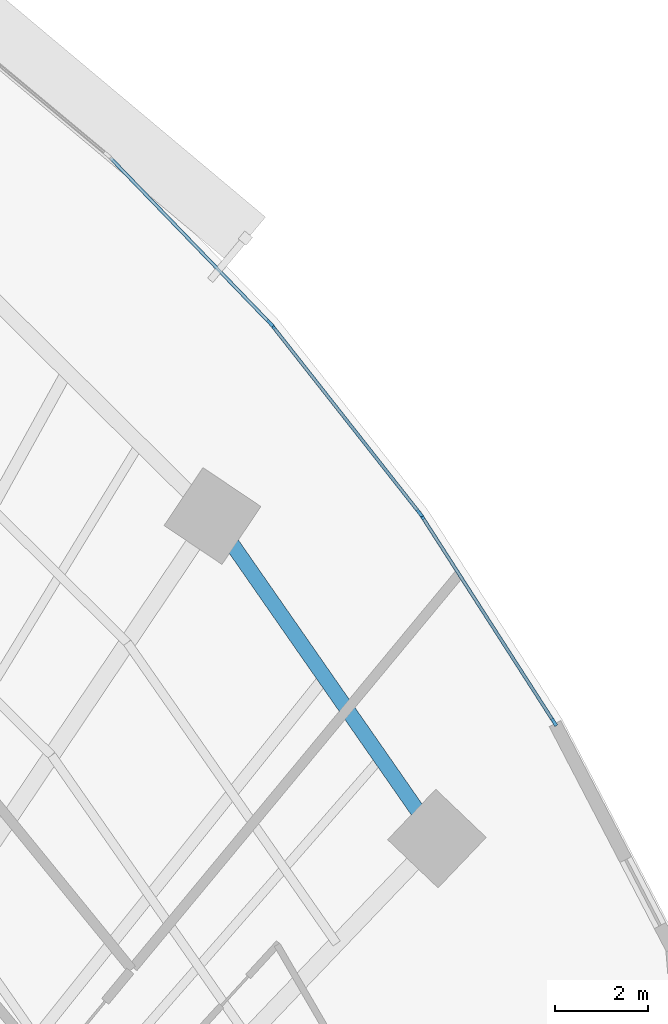
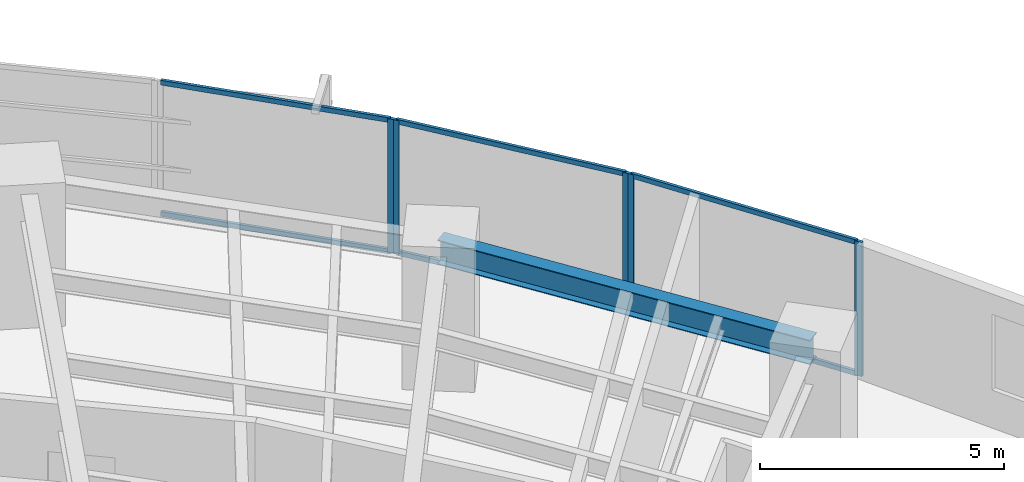
# One storey, part 8 of 17: 11 members, 1 beam, 3 elements without a shape of their own.
"""IFC4 building model written with IfcOpenShell, lengths in metres."""

from ifc_helpers import new_model, si_unit, direction, frame, origin, origin_2d, place, context, subcontext, project, spatial, rectangle, i_section, extrude, source, transform, mapped, material, layer, layer_set, material_profile, profile_set, type_object, type_shapes, element, aggregate, save


model = new_model("IFC4")

# Units and contexts
model_context = context("Model", 3, precision=1e-05, world=origin(), true_north=direction((0.0, 1.0)))
body_context = subcontext(model_context, "Body", "Model", "MODEL_VIEW")
ifc_project = project(units=[si_unit("LENGTHUNIT", "METRE"), si_unit("AREAUNIT", "SQUARE_METRE"), si_unit("VOLUMEUNIT", "CUBIC_METRE"), si_unit("PLANEANGLEUNIT", "RADIAN"), si_unit("MASSUNIT", "GRAM", prefix="KILO")], contexts=[model_context])

# Site, building, storey
site_placement = place(None, origin())
site = spatial("IfcSite", under=ifc_project, at=site_placement, CompositionType="ELEMENT")
building_placement = place(site_placement, origin())
building = spatial("IfcBuilding", under=site, at=building_placement, Name="Breltana Convention Tower", CompositionType="ELEMENT")
storey_placement = place(building_placement, frame((0.0, 0.0, 71.39990234375)))
storey = spatial("IfcBuildingStorey", under=building, at=storey_placement, Name="L16", CompositionType="ELEMENT", Elevation=71.39990234375)

# Beam
ifc_material_1 = material(Name="Steel ASTM A992 Grade 50", Category="steel")
ifc_material_profile_1 = material_profile(ifc_material_1, i_section(OverallWidth=0.323974609375, OverallDepth=0.611083984375, WebThickness=0.0126953125, FlangeThickness=0.01904296875, at=origin_2d()), Name="W24X104")
ifc_profile_set_1 = profile_set([ifc_material_profile_1], Name="Steel ASTM A992 Grade 50")
beam_type = type_object("IfcBeamType", Name="BM-SP-W24X104", PredefinedType="SPANDREL", material=ifc_profile_set_1)
shared_shape_1 = source(origin(), body_context, "Body", "SweptSolid", [
    extrude(i_section(OverallWidth=0.323974609375, OverallDepth=0.611083984375, WebThickness=0.0126953125, FlangeThickness=0.01904296875, at=origin_2d()), origin(), (0.0, 0.0, 1.0), 8.44970703125),
])
beam_placement = place(storey_placement, frame((75.166748046875, 62.43017578125, 3.0546875), z_axis=(0.5711855381, -0.820820979913, 0.0), x_axis=(0.820820979913, 0.5711855381, 0.0)))
element("IfcBeam", 1, at=beam_placement, inside=storey, type_object=beam_type, Name="L16 Outer Spandrel Beam 10", PredefinedType="SPANDREL", context=body_context, shape_type="MappedRepresentation", body=[
    mapped(shared_shape_1, transform((0.0, 0.0, 0.0), scale=1.0)),
])

# Curtain wall, member
ifc_material_2 = material(Name="Aluminium Anodised Bronze Frame", Category="aluminium")
ifc_layer = layer(ifc_material_2, 0.199951171875, Name="Aluminium Anodised Bronze Frame")
ifc_layer_set = layer_set([ifc_layer], Name="Aluminium Anodised Bronze Frame")
curtain_wall_type = type_object("IfcCurtainWallType", Name="CW-SYS-2", PredefinedType="NOTDEFINED", material=ifc_layer_set)
curtain_wall_1_placement = place(storey_placement, origin())
curtain_wall_1 = element("IfcCurtainWall", 2, at=curtain_wall_1_placement, inside=storey, type_object=curtain_wall_type, Name="L16 outer double-skin inner glazing 16", PredefinedType="NOTDEFINED")
ifc_material_3 = material(Name="Aluminium Anodised Bronze", Category="aluminium")
ifc_material_profile_2 = material_profile(ifc_material_3, rectangle(XDim=0.070068359375, YDim=0.175048828125, at=origin_2d()), Name="CWM-70X175")
ifc_profile_set_2 = profile_set([ifc_material_profile_2], Name="Aluminium Anodised Bronze")
member_type_1 = type_object("IfcMemberType", Name="CWM-175", PredefinedType="MULLION", material=ifc_profile_set_2)
shared_shape_2 = source(origin(), body_context, "Body", "SweptSolid", [
    extrude(rectangle(XDim=0.070068359375, YDim=0.175048828125, at=origin_2d()), origin(), (0.0, 0.0, 1.0), 3.360107421875),
])
type_shapes(member_type_1, [shared_shape_2])
member_1_placement = place(storey_placement, frame((76.408935546875, 66.571533203125, 0.0), z_axis=(0.0, 0.0, 1.0), x_axis=(0.719386421003, 0.694610090106, 0.0)))
member_1 = element("IfcMember", 3, at=member_1_placement, type_object=member_type_1, Name="CW-02 mullion 2", PredefinedType="MULLION", context=body_context, shape_type="MappedRepresentation", body=[
    mapped(shared_shape_2, transform((0.0, 0.0, 0.0), scale=1.0)),
])

# Curtain wall, members
curtain_wall_2_placement = place(storey_placement, origin())
curtain_wall_2 = element("IfcCurtainWall", 4, at=curtain_wall_2_placement, inside=storey, type_object=curtain_wall_type, Name="L16 outer double-skin inner glazing 17", PredefinedType="NOTDEFINED")
member_2_placement = place(storey_placement, frame((76.454833984375, 66.518798828125, 0.0), z_axis=(0.0, 0.0, 1.0), x_axis=(0.786057080698, 0.618153917633, 0.0)))
member_2 = element("IfcMember", 5, at=member_2_placement, type_object=member_type_1, Name="CW-02 mullion 1", PredefinedType="MULLION", context=body_context, shape_type="MappedRepresentation", body=[
    mapped(shared_shape_2, transform((0.0, 0.0, 0.0), scale=1.0)),
])
member_3_placement = place(storey_placement, frame((79.62255859375, 62.49072265625, 0.0), z_axis=(0.0, 0.0, 1.0), x_axis=(0.786057080698, 0.618153917633, 0.0)))
member_3 = element("IfcMember", 6, at=member_3_placement, type_object=member_type_1, Name="CW-02 mullion 2", PredefinedType="MULLION", context=body_context, shape_type="MappedRepresentation", body=[
    mapped(shared_shape_2, transform((0.0, 0.0, 0.0), scale=1.0)),
])

curtain_wall_3_placement = place(storey_placement, origin())
curtain_wall_3 = element("IfcCurtainWall", 7, at=curtain_wall_3_placement, inside=storey, type_object=curtain_wall_type, Name="L16 outer double-skin inner glazing 18", PredefinedType="NOTDEFINED")
member_4_placement = place(storey_placement, frame((79.6630859375, 62.43359375, 0.0), z_axis=(0.0, 0.0, 1.0), x_axis=(0.841549039154, 0.540180724109, 0.0)))
member_4 = element("IfcMember", 8, at=member_4_placement, type_object=member_type_1, Name="CW-02 mullion 1", PredefinedType="MULLION", context=body_context, shape_type="MappedRepresentation", body=[
    mapped(shared_shape_2, transform((0.0, 0.0, 0.0), scale=1.0)),
])
member_5_placement = place(storey_placement, frame((82.512939453125, 57.993896484375, 0.0), z_axis=(0.0, 0.0, 1.0), x_axis=(0.841549039154, 0.540180724109, 0.0)))
member_5 = element("IfcMember", 9, at=member_5_placement, type_object=member_type_1, Name="CW-02 mullion 2", PredefinedType="MULLION", context=body_context, shape_type="MappedRepresentation", body=[
    mapped(shared_shape_2, transform((0.0, 0.0, 0.0), scale=1.0)),
])

# Member
ifc_material_profile_3 = material_profile(ifc_material_3, rectangle(XDim=0.070068359375, YDim=0.1201171875, at=origin_2d()), Name="CWT-70X120")
ifc_profile_set_3 = profile_set([ifc_material_profile_3], Name="Aluminium Anodised Bronze")
member_type_2 = type_object("IfcMemberType", Name="CWT-120", PredefinedType="USERDEFINED", material=ifc_profile_set_3)
shared_shape_3 = source(origin(), body_context, "Body", "SweptSolid", [
    extrude(rectangle(XDim=0.070068359375, YDim=0.1201171875, at=origin_2d()), origin(), (0.0, 0.0, 1.0), 5.0546875),
])
member_6_placement = place(storey_placement, frame((76.4765625, 66.491455078125, 0.03515625), z_axis=(0.618135067667, -0.786071903913, 0.0), x_axis=(0.786071903913, 0.618135067667, 0.0)))
member_6 = element("IfcMember", 10, at=member_6_placement, type_object=member_type_2, Name="CW-02 transom 1.1", ObjectType="TRANSOM", PredefinedType="USERDEFINED", context=body_context, shape_type="MappedRepresentation", body=[
    mapped(shared_shape_3, transform((0.0, 0.0, 0.0), scale=1.0)),
])

member_7_placement = place(storey_placement, frame((76.4765625, 66.491455078125, 3.3251953125), z_axis=(0.618135067667, -0.786071903913, 0.0), x_axis=(0.786071903913, 0.618135067667, 0.0)))
member_7 = element("IfcMember", 11, at=member_7_placement, type_object=member_type_2, Name="CW-02 transom 1.2", ObjectType="TRANSOM", PredefinedType="USERDEFINED", context=body_context, shape_type="MappedRepresentation", body=[
    mapped(shared_shape_3, transform((0.0, 0.0, 0.0), scale=1.0)),
])

aggregate(curtain_wall_2, [member_2, member_3, member_6, member_7])

shared_shape_4 = source(origin(), body_context, "Body", "SweptSolid", [
    extrude(rectangle(XDim=0.070068359375, YDim=0.1201171875, at=origin_2d()), origin(), (0.0, 0.0, 1.0), 4.901123046875),
])
member_8_placement = place(storey_placement, frame((72.980224609375, 70.12255859375, 0.03515625), z_axis=(0.6945945137, -0.719401460617, 0.0), x_axis=(0.719401460617, 0.6945945137, 0.0)))
member_8 = element("IfcMember", 12, at=member_8_placement, type_object=member_type_2, Name="CW-02 transom 1.1", ObjectType="TRANSOM", PredefinedType="USERDEFINED", context=body_context, shape_type="MappedRepresentation", body=[
    mapped(shared_shape_4, transform((0.0, 0.0, 0.0), scale=1.0)),
])

member_9_placement = place(storey_placement, frame((72.980224609375, 70.12255859375, 3.3251953125), z_axis=(0.6945945137, -0.719401460617, 0.0), x_axis=(0.719401460617, 0.6945945137, 0.0)))
member_9 = element("IfcMember", 13, at=member_9_placement, type_object=member_type_2, Name="CW-02 transom 1.2", ObjectType="TRANSOM", PredefinedType="USERDEFINED", context=body_context, shape_type="MappedRepresentation", body=[
    mapped(shared_shape_4, transform((0.0, 0.0, 0.0), scale=1.0)),
])

aggregate(curtain_wall_1, [member_1, member_8, member_9])

shared_shape_5 = source(origin(), body_context, "Body", "SweptSolid", [
    extrude(rectangle(XDim=0.070068359375, YDim=0.1201171875, at=origin_2d()), origin(), (0.0, 0.0, 1.0), 5.205810546875),
])
member_10_placement = place(storey_placement, frame((79.68212890625, 62.404296875, 0.03515625), z_axis=(0.540179102764, -0.841550079875, 0.0), x_axis=(0.841550079875, 0.540179102764, 0.0)))
member_10 = element("IfcMember", 14, at=member_10_placement, type_object=member_type_2, Name="CW-02 transom 1.1", ObjectType="TRANSOM", PredefinedType="USERDEFINED", context=body_context, shape_type="MappedRepresentation", body=[
    mapped(shared_shape_5, transform((0.0, 0.0, 0.0), scale=1.0)),
])

member_11_placement = place(storey_placement, frame((79.68212890625, 62.404296875, 3.3251953125), z_axis=(0.540179102764, -0.841550079875, 0.0), x_axis=(0.841550079875, 0.540179102764, 0.0)))
member_11 = element("IfcMember", 15, at=member_11_placement, type_object=member_type_2, Name="CW-02 transom 1.2", ObjectType="TRANSOM", PredefinedType="USERDEFINED", context=body_context, shape_type="MappedRepresentation", body=[
    mapped(shared_shape_5, transform((0.0, 0.0, 0.0), scale=1.0)),
])

aggregate(curtain_wall_3, [member_4, member_5, member_10, member_11])

save(model, "model.ifc")
